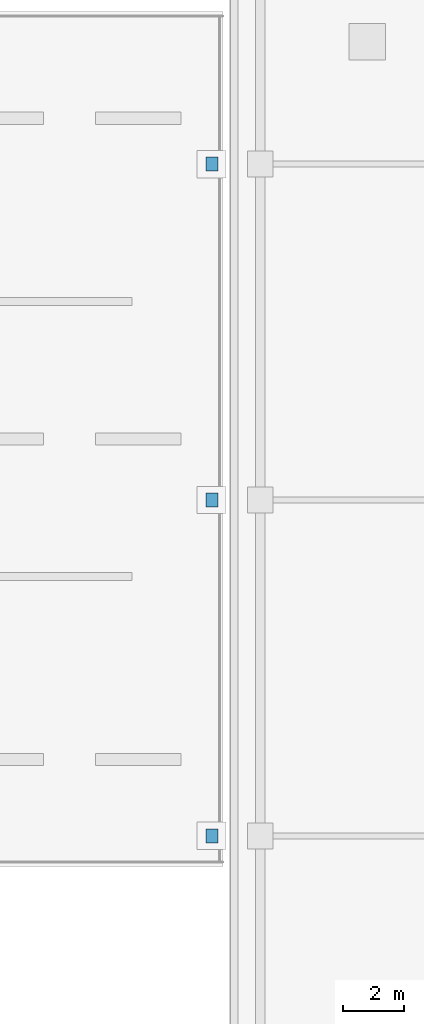
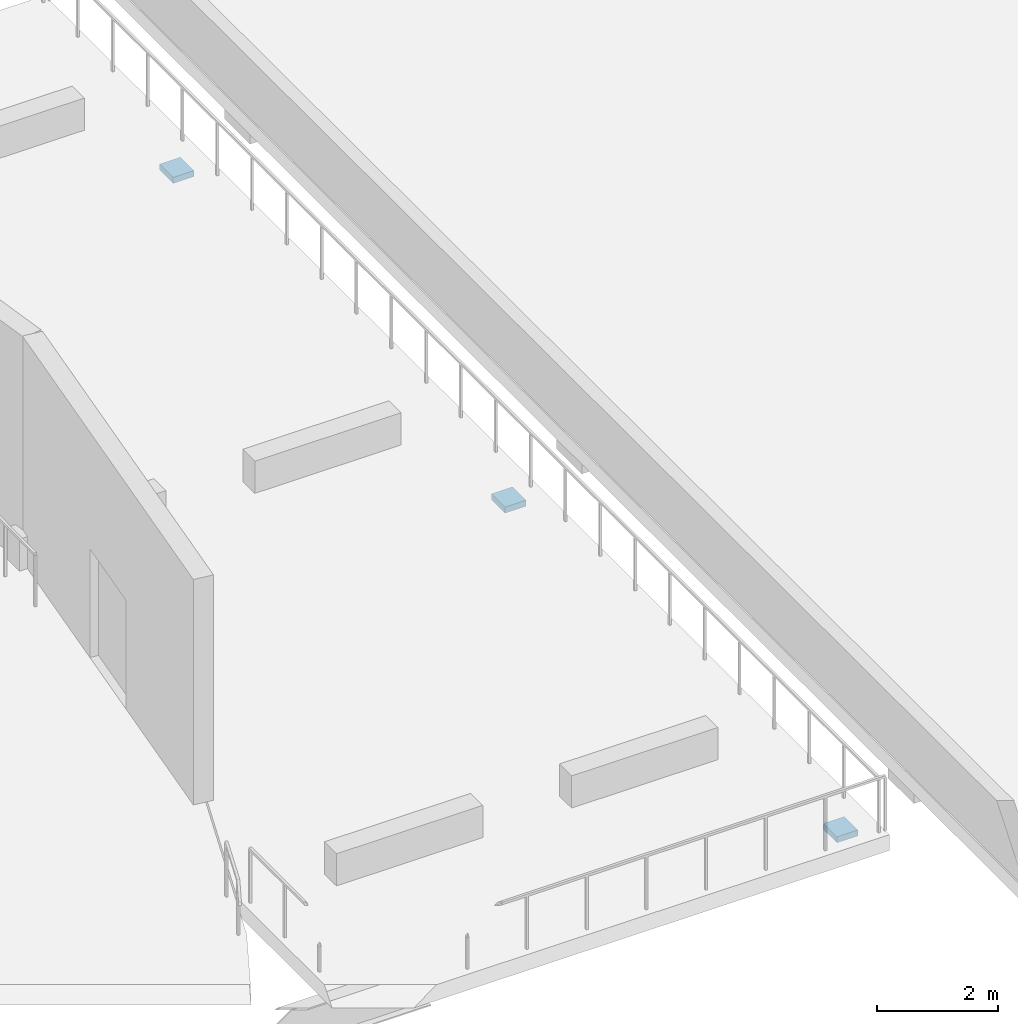
# One storey, part 22 of 26: 3 discrete accessories.
"""IFC4 building model written with IfcOpenShell, lengths in metres."""

import ifcopenshell
import ifcopenshell.guid

model = None  # the IFC model being written
_history = None  # IfcOwnerHistory: only IFC2X3 demands one
_inside = {}  # id of a spatial element -> (the spatial element, [elements in it])
_under = {}  # id of a project, library or spatial element -> (it, [spatial elements below it])
_declared = {}  # id of a project -> (the project, [libraries it declares])
_typed = {}  # id of a type object -> (the type object, [elements of that type])
_made_of = {}  # id of a material, layer set ... -> (it, [elements and type objects made of it])


def new_model(schema):
    """Start an empty IFC model of exactly this schema.

    Asked for "IFC4X3", IfcOpenShell would pick the latest addendum, in which some entities
    have other attributes; the version numbers below select the first issue.
    IFC2X3 requires an IfcOwnerHistory on every rooted entity: one is made here for all.
    """
    global model, _history
    if schema == "IFC4X3":
        model = ifcopenshell.file(schema_version=(4, 3, 0, 0))
    else:
        model = ifcopenshell.file(schema=schema)
    _inside.clear()
    _under.clear()
    _declared.clear()
    _typed.clear()
    _made_of.clear()
    _history = None
    if model.schema == "IFC2X3":
        org = make("IfcOrganization", Name="unknown")
        user = make(
            "IfcPersonAndOrganization",
            ThePerson=make("IfcPerson", FamilyName="unknown"),
            TheOrganization=org,
        )
        app = make(
            "IfcApplication",
            ApplicationDeveloper=org,
            Version="unknown",
            ApplicationFullName="unknown",
            ApplicationIdentifier="unknown",
        )
        _history = make(
            "IfcOwnerHistory",
            OwningUser=user,
            OwningApplication=app,
            ChangeAction="ADDED",
            CreationDate=0,
        )
    return model


def make(cls, **values):
    """One entity of the class cls with the attributes given. An attribute that is None is left unset."""
    return model.create_entity(
        cls, **{name: value for name, value in values.items() if value is not None}
    )


def rooted(cls, **values):
    """An entity with a GlobalId (a new one), such as an element, a storey or a relation."""
    return make(cls, GlobalId=ifcopenshell.guid.new(), OwnerHistory=_history, **values)


def si_unit(unit_type, name, prefix=None):
    """IfcSIUnit, for example si_unit("LENGTHUNIT", "METRE", prefix="MILLI")."""
    return make("IfcSIUnit", UnitType=unit_type, Prefix=prefix, Name=name)


def assignment(units):
    """IfcUnitAssignment: the units of a project."""
    return None if units is None else make("IfcUnitAssignment", Units=units)


def point(xyz):
    """IfcCartesianPoint."""
    return None if xyz is None else make("IfcCartesianPoint", Coordinates=xyz)


def direction(xyz):
    """IfcDirection."""
    return None if xyz is None else make("IfcDirection", DirectionRatios=xyz)


def frame(location, z_axis=None, x_axis=None):
    """IfcAxis2Placement3D, a coordinate frame: its origin and axes. An axis left out is left unset."""
    return make(
        "IfcAxis2Placement3D",
        Location=point(location),
        Axis=direction(z_axis),
        RefDirection=direction(x_axis),
    )


def frame_2d(location, x_axis=None):
    """IfcAxis2Placement2D, a coordinate frame in the plane: its origin and x axis."""
    return make(
        "IfcAxis2Placement2D", Location=point(location), RefDirection=direction(x_axis)
    )


def origin():
    """The frame at (0, 0, 0) with its axes left unset."""
    return frame((0.0, 0.0, 0.0))


def origin_2d():
    """The frame at (0, 0) in the plane with its x axis left unset."""
    return frame_2d((0.0, 0.0))


def place(relative_to, where):
    """IfcLocalPlacement: puts the frame where relative to a parent placement (None: the world)."""
    return make(
        "IfcLocalPlacement", PlacementRelTo=relative_to, RelativePlacement=where
    )


def context(
    kind, dimensions, precision=None, world=None, true_north=None, identifier=None
):
    """IfcGeometricRepresentationContext, for example the 3D "Model" context."""
    return make(
        "IfcGeometricRepresentationContext",
        ContextIdentifier=identifier,
        ContextType=kind,
        CoordinateSpaceDimension=dimensions,
        Precision=precision,
        WorldCoordinateSystem=world,
        TrueNorth=true_north,
    )


def subcontext(parent, identifier, kind, view, scale=None):
    """IfcGeometricRepresentationSubContext, for example "Body" below "Model"."""
    return make(
        "IfcGeometricRepresentationSubContext",
        ContextIdentifier=identifier,
        ContextType=kind,
        ParentContext=parent,
        TargetScale=scale,
        TargetView=view,
    )


def project(units=None, contexts=None):
    """IfcProject with its units and contexts."""
    return rooted(
        "IfcProject",
        Name="project",
        RepresentationContexts=contexts,
        UnitsInContext=assignment(units),
    )


def spatial(cls, under=None, at=None, **own):
    """A site, building, storey or space (cls), placed at a placement, below another one or the project."""
    s = rooted(cls, ObjectPlacement=at, **own)
    if under is not None:
        _under.setdefault(under.id(), (under, []))[1].append(s)
    return s


def profile(cls, at=None, kind="AREA", **sizes):
    """A parametric profile (cls). Its sizes go by their IFC names, for example OverallWidth=200.0."""
    return make(cls, ProfileType=kind, Position=at, **sizes)


def rectangle(**sizes):
    """IfcRectangleProfileDef."""
    return profile("IfcRectangleProfileDef", **sizes)


def extrude(swept, where, along, depth):
    """IfcExtrudedAreaSolid: the profile swept, set in the frame where, extruded along a direction by depth."""
    return make(
        "IfcExtrudedAreaSolid",
        SweptArea=swept,
        Position=where,
        ExtrudedDirection=direction(along),
        Depth=depth,
    )


def shape(context_of_items, identifier, shape_type, items):
    """IfcShapeRepresentation: the items that make up one representation, for example the "Body"."""
    return make(
        "IfcShapeRepresentation",
        ContextOfItems=context_of_items,
        RepresentationIdentifier=identifier,
        RepresentationType=shape_type,
        Items=items,
    )


def material(Name=None, Category=None):
    """IfcMaterial."""
    return make("IfcMaterial", Name=Name, Category=Category)


def made_of(thing, what):
    """Note that an element or type object is made of a material, layer set ...; save() writes the relation."""
    if what is not None:
        _made_of.setdefault(what.id(), (what, []))[1].append(thing)
    return thing


def type_object(cls, material=None, **own):
    """A type object (cls), such as IfcWallType, which elements share."""
    return made_of(rooted(cls, **own), material)


def element(
    cls,
    number,
    at=None,
    inside=None,
    cuts=None,
    type_object=None,
    material=None,
    context=None,
    identifier="Body",
    shape_type=None,
    held_by="IfcProductDefinitionShape",
    body=None,
    shapes=None,
    **own,
):
    """One element of the class cls, such as IfcWall. Its Tag is "e" and its number.

    at: its placement. inside: the storey or other place that contains it. cuts: it is an
    opening in that element (IfcRelVoidsElement). A single representation is given by context,
    identifier, shape_type and body (its items); several are given by shapes. held_by: the class
    of the entity that holds the representations. save() writes the other relations.
    """
    e = rooted(cls, Tag="e%d" % number, ObjectPlacement=at, **own)
    if body is not None:
        shapes = [shape(context, identifier, shape_type, body)]
    if shapes is not None:
        e.Representation = make(held_by, Representations=shapes)
    if inside is not None:
        _inside.setdefault(inside.id(), (inside, []))[1].append(e)
    if cuts is not None:
        rooted(
            "IfcRelVoidsElement", RelatingBuildingElement=cuts, RelatedOpeningElement=e
        )
    if type_object is not None:
        _typed.setdefault(type_object.id(), (type_object, []))[1].append(e)
    return made_of(e, material)


def aggregate(whole, parts):
    """IfcRelAggregates: a whole, such as a stair, and the parts it consists of."""
    return rooted("IfcRelAggregates", RelatingObject=whole, RelatedObjects=parts)


def save(model, path):
    """Write the relations noted so far, then the file.

    IfcRelAggregates (storeys below a building ...), IfcRelContainedInSpatialStructure (elements
    in a storey), IfcRelDefinesByType, IfcRelAssociatesMaterial and IfcRelDeclares: one each for
    every whole, place, type object, material and project.
    """
    for whole, parts in _under.values():
        aggregate(whole, parts)
    for where, things in _inside.values():
        rooted(
            "IfcRelContainedInSpatialStructure",
            RelatedElements=things,
            RelatingStructure=where,
        )
    for kind, things in _typed.values():
        rooted("IfcRelDefinesByType", RelatedObjects=things, RelatingType=kind)
    for what, things in _made_of.values():
        rooted("IfcRelAssociatesMaterial", RelatedObjects=things, RelatingMaterial=what)
    for by, libraries in _declared.values():
        rooted("IfcRelDeclares", RelatingContext=by, RelatedDefinitions=libraries)
    model.write(path)


model = new_model("IFC4")

# Units and contexts
model_context = context("Model", 3, precision=1e-05, world=origin(), true_north=direction((0.0, 1.0)))
body_context = subcontext(model_context, "Body", "Model", "MODEL_VIEW")
ifc_project = project(units=[si_unit("LENGTHUNIT", "METRE"), si_unit("AREAUNIT", "SQUARE_METRE"), si_unit("VOLUMEUNIT", "CUBIC_METRE"), si_unit("PLANEANGLEUNIT", "RADIAN"), si_unit("MASSUNIT", "GRAM", prefix="KILO")], contexts=[model_context])

# Site, building, storey
site_placement = place(None, origin())
site = spatial("IfcSite", under=ifc_project, at=site_placement, CompositionType="ELEMENT")
building_placement = place(site_placement, origin())
building = spatial("IfcBuilding", under=site, at=building_placement, Name="Kazevale Care Tower and Concert Hall", CompositionType="ELEMENT")
storey_placement = place(building_placement, frame((0.0, 0.0, 19.199951171875)))
storey = spatial("IfcBuildingStorey", under=building, at=storey_placement, Name="L04", CompositionType="ELEMENT", Elevation=19.199951171875)

# Discrete accessories
ifc_material = material(Name="Steel ASTM A572 Gr 50", Category="steel")
discrete_accessory_type = type_object("IfcDiscreteAccessoryType", Name="Unguided PTFE Elastomeric Sliding Bearing", PredefinedType="USERDEFINED", material=ifc_material)
for number, where, z_axis, x_axis, name in (
    (1, (95.419921875, 25.0, -0.43994140625), (0.0, 0.0, 1.0), (1.0, 0.0, 0.0), "brg:L04:ptfe:1"),
    (2, (95.419921875, 36.0, -0.43994140625), (0.0, 0.0, 1.0), (1.0, 0.0, 0.0), "brg:L04:ptfe:2"),
    (3, (95.419921875, 47.0, -0.43994140625), (0.0, 0.0, 1.0), (1.0, 0.0, 0.0), "brg:L04:ptfe:3"),
):
    element("IfcDiscreteAccessory", number, at=place(storey_placement, frame(where, z_axis=z_axis, x_axis=x_axis)), inside=storey, type_object=discrete_accessory_type, Name=name, ObjectType="BEARING", PredefinedType="USERDEFINED", context=body_context, shape_type="SweptSolid", body=[
        extrude(rectangle(XDim=0.39990234375, YDim=0.449951171875, at=origin_2d()), origin(), (0.0, 0.0, 1.0), 0.1201171875),
    ])

save(model, "model.ifc")
